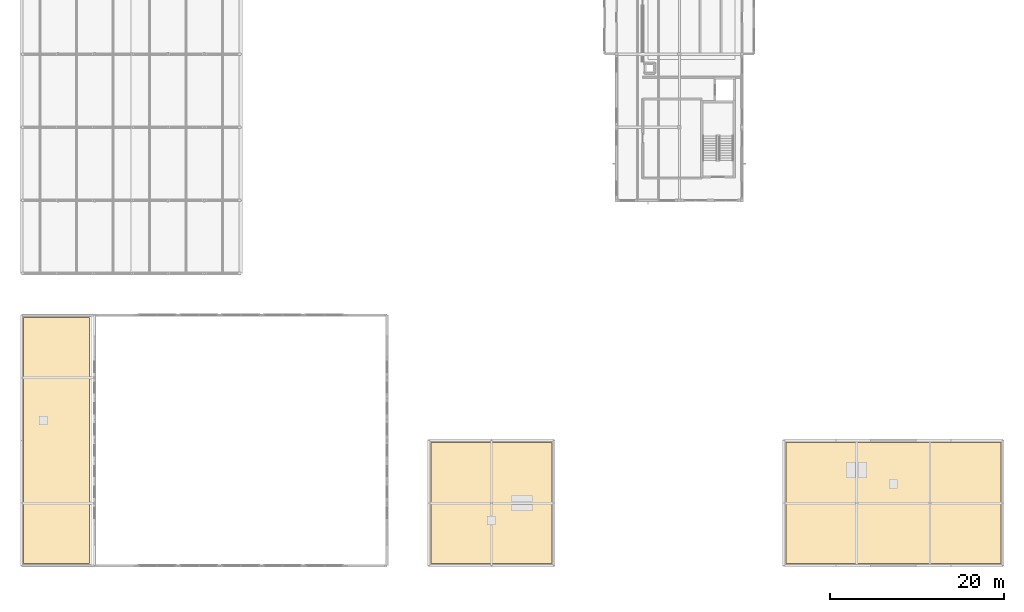
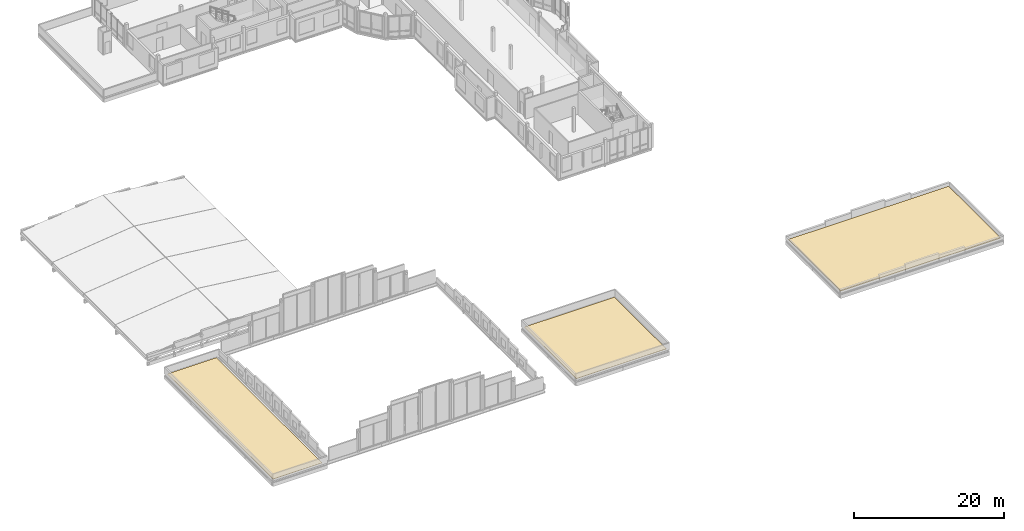
# One storey, part 31 of 34: 3 coverings.
"""IFC4 building model written with IfcOpenShell, lengths in metres."""

from ifc_helpers import new_model, si_unit, direction, frame, origin, place, context, subcontext, project, spatial, polyline, outline, extrude, material, layer, layer_set, type_object, element, save


model = new_model("IFC4")

# Units and contexts
model_context = context("Model", 3, precision=1e-05, world=origin(), true_north=direction((0.0, 1.0)))
body_context = subcontext(model_context, "Body", "Model", "MODEL_VIEW")
ifc_project = project(units=[si_unit("LENGTHUNIT", "METRE"), si_unit("AREAUNIT", "SQUARE_METRE"), si_unit("VOLUMEUNIT", "CUBIC_METRE"), si_unit("PLANEANGLEUNIT", "RADIAN"), si_unit("MASSUNIT", "GRAM", prefix="KILO")], contexts=[model_context])

# Site, building, storey
site_placement = place(None, origin())
site = spatial("IfcSite", under=ifc_project, at=site_placement, CompositionType="ELEMENT")
building_placement = place(site_placement, origin())
building = spatial("IfcBuilding", under=site, at=building_placement, Name="Kahlenmark Community Centre", CompositionType="ELEMENT")
storey_placement = place(building_placement, frame((0.0, 0.0, 17.699951171875)))
storey = spatial("IfcBuildingStorey", under=building, at=storey_placement, Name="L04", CompositionType="ELEMENT", Elevation=17.699951171875)

# Coverings
ifc_material_1 = material(Name="EPDM waterproofing and gravel ballast")
ifc_layer_1 = layer(ifc_material_1, 0.0400390625)
ifc_layer_set_1 = layer_set([ifc_layer_1], Name="EPDM waterproofing and gravel ballast")
covering_type_1 = type_object("IfcCoveringType", Name="CVT-ROOF-EPDM", PredefinedType="ROOFING", material=ifc_layer_set_1)
covering_1_placement = place(storey_placement, origin())
element("IfcCovering", 1, at=covering_1_placement, inside=storey, type_object=covering_type_1, Name="Roof membrane 04", PredefinedType="ROOFING", context=body_context, shape_type="SweptSolid", body=[
    extrude(outline(polyline([(4.25, 9.050048828125), (11.800048828125, 9.050048828125), (11.800048828125, 37.35009765625), (4.25, 37.35009765625), (4.25, 9.050048828125)])), origin(), (0.0, 0.0, 1.0), 0.0400390625),
])
covering_2_placement = place(storey_placement, origin())
element("IfcCovering", 2, at=covering_2_placement, inside=storey, type_object=covering_type_1, Name="Roof membrane 05", PredefinedType="ROOFING", context=body_context, shape_type="SweptSolid", body=[
    extrude(outline(polyline([(51.050048828125, 9.050048828125), (64.949951171875, 9.050048828125), (64.949951171875, 22.949951171875), (51.050048828125, 22.949951171875), (51.050048828125, 9.050048828125)])), origin(), (0.0, 0.0, 1.0), 0.0400390625),
])
ifc_material_2 = material(Name="Extensive sedum green roof substrate")
ifc_layer_2 = layer(ifc_material_2, 0.080078125)
ifc_layer_set_2 = layer_set([ifc_layer_2], Name="Extensive sedum green roof substrate")
covering_type_2 = type_object("IfcCoveringType", Name="CVT-ROOF-GRN", PredefinedType="ROOFING", material=ifc_layer_set_2)
covering_3_placement = place(storey_placement, origin())
element("IfcCovering", 3, at=covering_3_placement, inside=storey, type_object=covering_type_2, Name="Roof membrane 06", PredefinedType="ROOFING", context=body_context, shape_type="SweptSolid", body=[
    extrude(outline(polyline([(91.85009765625, 9.050048828125), (116.550048828125, 9.050048828125), (116.550048828125, 22.949951171875), (91.85009765625, 22.949951171875), (91.85009765625, 9.050048828125)])), origin(), (0.0, 0.0, 1.0), 0.080078125),
])

save(model, "model.ifc")
